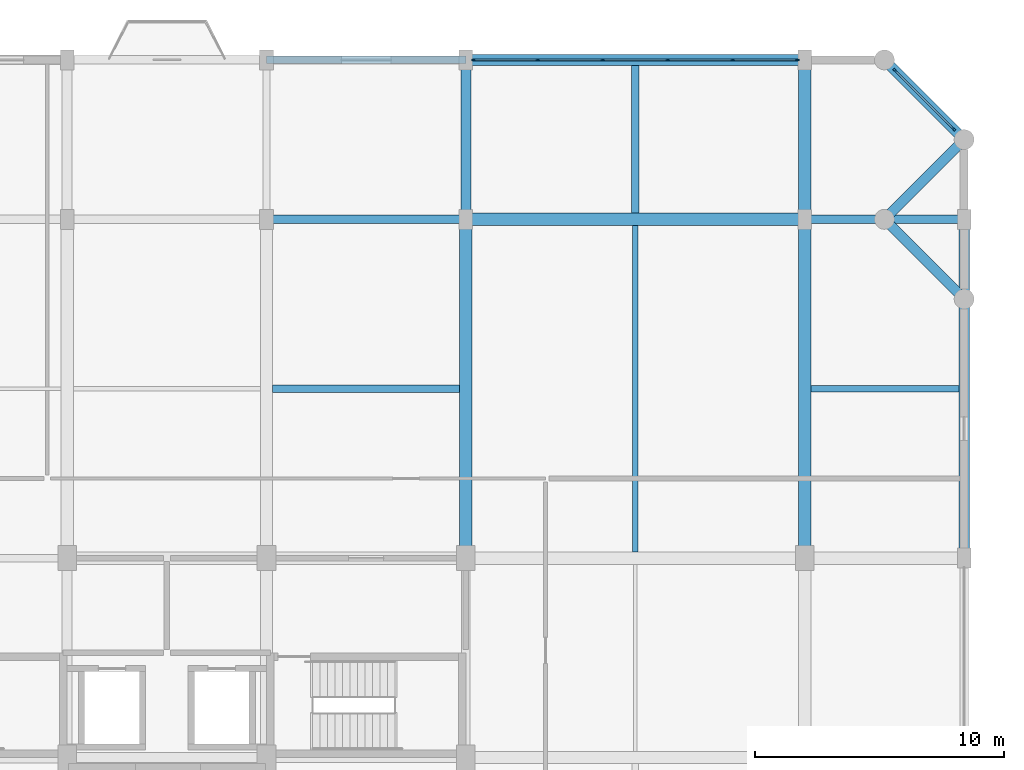
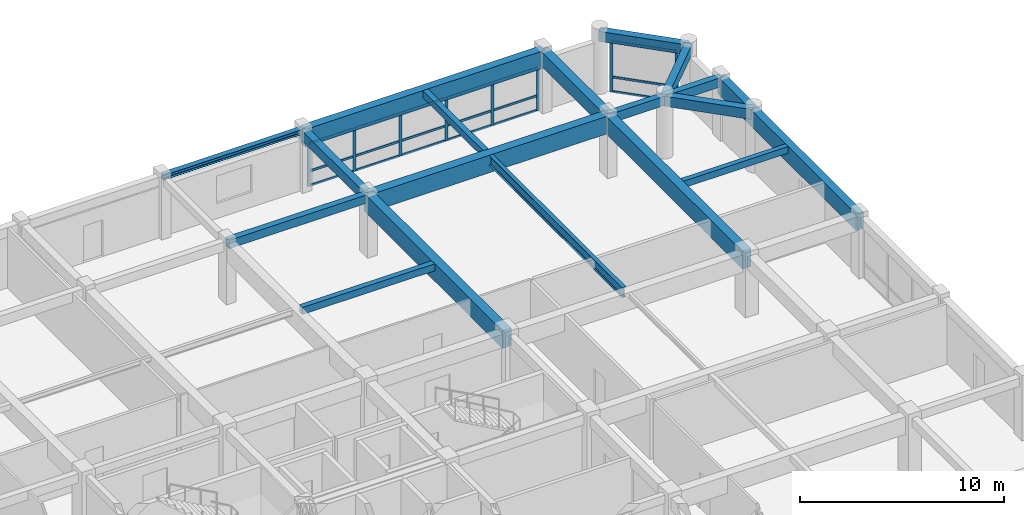
# One storey, part 9 of 15: 26 members, 17 beams, 2 elements without a shape of their own.
"""IFC4 building model written with IfcOpenShell, lengths in metres."""

from ifc_helpers import new_model, si_unit, direction, frame, origin, origin_2d, place, context, subcontext, project, spatial, rectangle, i_section, extrude, material, material_profile, profile_set, type_object, element, aggregate, save


model = new_model("IFC4")

# Units and contexts
model_context = context("Model", 3, precision=1e-05, world=origin(), true_north=direction((0.0, 1.0)))
body_context = subcontext(model_context, "Body", "Model", "MODEL_VIEW")
ifc_project = project(units=[si_unit("LENGTHUNIT", "METRE"), si_unit("AREAUNIT", "SQUARE_METRE"), si_unit("VOLUMEUNIT", "CUBIC_METRE"), si_unit("PLANEANGLEUNIT", "RADIAN"), si_unit("MASSUNIT", "GRAM", prefix="KILO")], contexts=[model_context])

# Site, building, storey
site_placement = place(None, origin())
site = spatial("IfcSite", under=ifc_project, at=site_placement, CompositionType="ELEMENT")
building_placement = place(site_placement, origin())
building = spatial("IfcBuilding", under=site, at=building_placement, Name="Vellmiral Cinema and Media Centre", CompositionType="ELEMENT")
storey_placement = place(building_placement, frame((0.0, 0.0, 31.699951171875)))
storey = spatial("IfcBuildingStorey", under=building, at=storey_placement, Name="L07", CompositionType="ELEMENT", Elevation=31.699951171875)

# Beams
ifc_material_1 = material(Name="Concrete C40/50", Category="concrete")
ifc_material_profile_1 = material_profile(ifc_material_1, rectangle(XDim=0.35009765625, YDim=0.5, at=origin_2d()), Name="RC 350x500")
ifc_profile_set_1 = profile_set([ifc_material_profile_1], Name="Concrete C40/50")
beam_type_1 = type_object("IfcBeamType", Name="BM-RC-350x500", PredefinedType="BEAM", material=ifc_profile_set_1)
beam_1_placement = place(storey_placement, frame((140.0, 108.800048828125, 3.385009765625), z_axis=(1.0, 0.0, 0.0), x_axis=(0.0, 1.0, 0.0)))
element("IfcBeam", 1, at=beam_1_placement, inside=storey, type_object=beam_type_1, Name="Grid Beam L07-X040", PredefinedType="BEAM", context=body_context, shape_type="SweptSolid", body=[
    extrude(rectangle(XDim=0.35009765625, YDim=0.5, at=origin_2d()), origin(), (0.0, 0.0, 1.0), 8.0),
])
ifc_material_2 = material(Name="Concrete C40/50", Category="concrete")
ifc_material_profile_2 = material_profile(ifc_material_2, rectangle(XDim=0.35009765625, YDim=0.550048828125, at=origin_2d()), Name="RC 350x550")
ifc_profile_set_2 = profile_set([ifc_material_profile_2], Name="Concrete C40/50")
beam_type_2 = type_object("IfcBeamType", Name="BM-RC-350x550", PredefinedType="BEAM", material=ifc_profile_set_2)
beam_2_placement = place(storey_placement, frame((161.60009765625, 108.800048828125, 3.360107421875), z_axis=(1.0, 0.0, 0.0), x_axis=(0.0, 1.0, 0.0)))
element("IfcBeam", 2, at=beam_2_placement, inside=storey, type_object=beam_type_2, Name="Grid Beam L07-X042", PredefinedType="BEAM", context=body_context, shape_type="SweptSolid", body=[
    extrude(rectangle(XDim=0.35009765625, YDim=0.550048828125, at=origin_2d()), origin(), (0.0, 0.0, 1.0), 6.39990234375),
])
ifc_material_3 = material(Name="Concrete C40/50", Category="concrete")
ifc_material_profile_3 = material_profile(ifc_material_3, rectangle(XDim=0.39990234375, YDim=0.60009765625, at=origin_2d()), Name="RC 400x600")
ifc_profile_set_3 = profile_set([ifc_material_profile_3], Name="Concrete C40/50")
beam_type_3 = type_object("IfcBeamType", Name="BM-RC-400x600", PredefinedType="BEAM", material=ifc_profile_set_3)
beam_3_placement = place(storey_placement, frame((148.0, 108.800048828125, 3.3349609375), z_axis=(0.0, 1.0, 0.0), x_axis=(-1.0, 0.0, 0.0)))
element("IfcBeam", 3, at=beam_3_placement, inside=storey, type_object=beam_type_3, Name="Grid Beam L07-Y084", PredefinedType="BEAM", context=body_context, shape_type="SweptSolid", body=[
    extrude(rectangle(XDim=0.39990234375, YDim=0.60009765625, at=origin_2d()), origin(), (0.0, 0.0, 1.0), 6.39990234375),
])
ifc_material_4 = material(Name="Concrete C40/50", Category="concrete")
ifc_material_profile_4 = material_profile(ifc_material_4, rectangle(XDim=0.5, YDim=0.85009765625, at=origin_2d()), Name="RC 500x850")
ifc_profile_set_4 = profile_set([ifc_material_profile_4], Name="Concrete C40/50")
beam_type_4 = type_object("IfcBeamType", Name="BM-RC-500x850", PredefinedType="BEAM", material=ifc_profile_set_4)
beam_4_placement = place(storey_placement, frame((161.60009765625, 108.800048828125, 3.2099609375), z_axis=(0.0, 1.0, 0.0), x_axis=(-1.0, 0.0, 0.0)))
element("IfcBeam", 4, at=beam_4_placement, inside=storey, type_object=beam_type_4, Name="Grid Beam L07-Y090", PredefinedType="BEAM", context=body_context, shape_type="SweptSolid", body=[
    extrude(rectangle(XDim=0.5, YDim=0.85009765625, at=origin_2d()), origin(), (0.0, 0.0, 1.0), 6.39990234375),
])
ifc_material_5 = material(Name="Concrete C40/50", Category="concrete")
ifc_material_profile_5 = material_profile(ifc_material_5, rectangle(XDim=0.5, YDim=1.050048828125, at=origin_2d()), Name="RC 500x1050")
ifc_profile_set_5 = profile_set([ifc_material_profile_5], Name="Concrete C40/50")
beam_type_5 = type_object("IfcBeamType", Name="BM-RCG-500x1050", PredefinedType="BEAM", material=ifc_profile_set_5)
for number, where, z_axis, x_axis, name in (
    (5, (148.0, 108.800048828125, 3.110107421875), (1.0, 0.0, 0.0), (0.0, 1.0, 0.0), "Grid Beam L07-X041"),
    (6, (148.0, 95.199951171875, 3.110107421875), (0.0, 1.0, 0.0), (-1.0, 0.0, 0.0), "Grid Beam L07-Y083"),
    (7, (161.60009765625, 95.199951171875, 3.110107421875), (0.0, 1.0, 0.0), (-1.0, 0.0, 0.0), "Grid Beam L07-Y089"),
):
    element("IfcBeam", number, at=place(storey_placement, frame(where, z_axis=z_axis, x_axis=x_axis)), inside=storey, type_object=beam_type_5, Name=name, PredefinedType="BEAM", context=body_context, shape_type="SweptSolid", body=[
        extrude(rectangle(XDim=0.5, YDim=1.050048828125, at=origin_2d()), origin(), (0.0, 0.0, 1.0), 13.60009765625),
    ])

# Curtain wall, members
ifc_material_6 = material(Name="Thermally Broken Aluminium and Triple Glazing", Category="aluminium")
curtain_wall_type = type_object("IfcCurtainWallType", Name="CW-TOWER-LOW-S", PredefinedType="USERDEFINED", material=ifc_material_6)
curtain_wall_1_placement = place(storey_placement, origin())
curtain_wall_1 = element("IfcCurtainWall", 8, at=curtain_wall_1_placement, inside=storey, type_object=curtain_wall_type, Name="Curtain Wall L07-B016", ObjectType="UNITISED CURTAIN WALL", PredefinedType="USERDEFINED")
ifc_material_7 = material(Name="Thermally Broken Anodised Aluminium", Category="aluminium")
ifc_material_profile_6 = material_profile(ifc_material_7, rectangle(XDim=0.06494140625, YDim=0.159912109375, at=origin_2d()), Name="MULL 65x160")
ifc_profile_set_6 = profile_set([ifc_material_profile_6], Name="Thermally Broken Anodised Aluminium")
member_type_1 = type_object("IfcMemberType", Name="CWM-65x160", PredefinedType="MULLION", material=ifc_profile_set_6)
member_1_placement = place(storey_placement, frame((167.576904296875, 112.423095703125, 0.0), z_axis=(0.0, 0.0, 1.0), x_axis=(-0.707106781187, -0.707106781187, 0.0)))
member_1 = element("IfcMember", 9, at=member_1_placement, type_object=member_type_1, Name="CW-06 mullion 1", PredefinedType="MULLION", context=body_context, shape_type="SweptSolid", body=[
    extrude(rectangle(XDim=0.06494140625, YDim=0.159912109375, at=origin_2d()), origin(), (0.0, 0.0, 1.0), 3.0400390625),
])
member_2_placement = place(storey_placement, frame((165.222900390625, 114.777099609375, 0.0), z_axis=(0.0, 0.0, 1.0), x_axis=(-0.707106781187, -0.707106781187, 0.0)))
member_2 = element("IfcMember", 10, at=member_2_placement, type_object=member_type_1, Name="CW-06 mullion 2", PredefinedType="MULLION", context=body_context, shape_type="SweptSolid", body=[
    extrude(rectangle(XDim=0.06494140625, YDim=0.159912109375, at=origin_2d()), origin(), (0.0, 0.0, 1.0), 3.0400390625),
])

curtain_wall_2_placement = place(storey_placement, origin())
curtain_wall_2 = element("IfcCurtainWall", 11, at=curtain_wall_2_placement, inside=storey, type_object=curtain_wall_type, Name="Curtain Wall L07-B018", ObjectType="UNITISED CURTAIN WALL", PredefinedType="USERDEFINED")
member_3_placement = place(storey_placement, frame((161.29248046875, 115.199951171875, 0.0), z_axis=(0.0, 0.0, 1.0), x_axis=(0.0, -1.0, 0.0)))
member_3 = element("IfcMember", 12, at=member_3_placement, type_object=member_type_1, Name="CW-06 mullion 1", PredefinedType="MULLION", context=body_context, shape_type="SweptSolid", body=[
    extrude(rectangle(XDim=0.06494140625, YDim=0.159912109375, at=origin_2d()), origin(), (0.0, 0.0, 1.0), 2.574951171875),
])
member_4_placement = place(storey_placement, frame((158.715087890625, 115.199951171875, 0.0), z_axis=(0.0, 0.0, 1.0), x_axis=(0.0, -1.0, 0.0)))
member_4 = element("IfcMember", 13, at=member_4_placement, type_object=member_type_1, Name="CW-06 mullion 2", PredefinedType="MULLION", context=body_context, shape_type="SweptSolid", body=[
    extrude(rectangle(XDim=0.06494140625, YDim=0.159912109375, at=origin_2d()), origin(), (0.0, 0.0, 1.0), 2.574951171875),
])
member_5_placement = place(storey_placement, frame((156.10498046875, 115.199951171875, 0.0), z_axis=(0.0, 0.0, 1.0), x_axis=(0.0, -1.0, 0.0)))
member_5 = element("IfcMember", 14, at=member_5_placement, type_object=member_type_1, Name="CW-06 mullion 3", PredefinedType="MULLION", context=body_context, shape_type="SweptSolid", body=[
    extrude(rectangle(XDim=0.06494140625, YDim=0.159912109375, at=origin_2d()), origin(), (0.0, 0.0, 1.0), 2.574951171875),
])
member_6_placement = place(storey_placement, frame((153.4951171875, 115.199951171875, 0.0), z_axis=(0.0, 0.0, 1.0), x_axis=(0.0, -1.0, 0.0)))
member_6 = element("IfcMember", 15, at=member_6_placement, type_object=member_type_1, Name="CW-06 mullion 4", PredefinedType="MULLION", context=body_context, shape_type="SweptSolid", body=[
    extrude(rectangle(XDim=0.06494140625, YDim=0.159912109375, at=origin_2d()), origin(), (0.0, 0.0, 1.0), 2.574951171875),
])
member_7_placement = place(storey_placement, frame((150.885009765625, 115.199951171875, 0.0), z_axis=(0.0, 0.0, 1.0), x_axis=(0.0, -1.0, 0.0)))
member_7 = element("IfcMember", 16, at=member_7_placement, type_object=member_type_1, Name="CW-06 mullion 5", PredefinedType="MULLION", context=body_context, shape_type="SweptSolid", body=[
    extrude(rectangle(XDim=0.06494140625, YDim=0.159912109375, at=origin_2d()), origin(), (0.0, 0.0, 1.0), 2.574951171875),
])
member_8_placement = place(storey_placement, frame((148.3076171875, 115.199951171875, 0.0), z_axis=(0.0, 0.0, 1.0), x_axis=(0.0, -1.0, 0.0)))
member_8 = element("IfcMember", 17, at=member_8_placement, type_object=member_type_1, Name="CW-06 mullion 6", PredefinedType="MULLION", context=body_context, shape_type="SweptSolid", body=[
    extrude(rectangle(XDim=0.06494140625, YDim=0.159912109375, at=origin_2d()), origin(), (0.0, 0.0, 1.0), 2.574951171875),
])

# Member
ifc_material_8 = material(Name="Thermally Broken Anodised Aluminium", Category="aluminium")
ifc_material_profile_7 = material_profile(ifc_material_8, rectangle(XDim=0.06494140625, YDim=0.135009765625, at=origin_2d()), Name="MULL 65x135")
ifc_profile_set_7 = profile_set([ifc_material_profile_7], Name="Thermally Broken Anodised Aluminium")
member_type_2 = type_object("IfcMemberType", Name="CWT-65x135", PredefinedType="USERDEFINED", material=ifc_profile_set_7)
member_9_placement = place(storey_placement, frame((167.553955078125, 112.446044921875, 0.032470703125), z_axis=(-0.707106781187, 0.707106781187, 0.0), x_axis=(-0.707106781187, -0.707106781187, 0.0)))
member_9 = element("IfcMember", 18, at=member_9_placement, type_object=member_type_2, Name="CW-06 transom 1.1", ObjectType="TRANSOM", PredefinedType="USERDEFINED", context=body_context, shape_type="SweptSolid", body=[
    extrude(rectangle(XDim=0.06494140625, YDim=0.135009765625, at=origin_2d()), origin(), (0.0, 0.0, 1.0), 3.26416015625),
])

member_10_placement = place(storey_placement, frame((167.553955078125, 112.446044921875, 0.900146484375), z_axis=(-0.707106781187, 0.707106781187, 0.0), x_axis=(-0.707106781187, -0.707106781187, 0.0)))
member_10 = element("IfcMember", 19, at=member_10_placement, type_object=member_type_2, Name="CW-06 transom 1.2", ObjectType="TRANSOM", PredefinedType="USERDEFINED", context=body_context, shape_type="SweptSolid", body=[
    extrude(rectangle(XDim=0.06494140625, YDim=0.135009765625, at=origin_2d()), origin(), (0.0, 0.0, 1.0), 3.26416015625),
])

member_11_placement = place(storey_placement, frame((167.553955078125, 112.446044921875, 3.007568359375), z_axis=(-0.707106781187, 0.707106781187, 0.0), x_axis=(-0.707106781187, -0.707106781187, 0.0)))
member_11 = element("IfcMember", 20, at=member_11_placement, type_object=member_type_2, Name="CW-06 transom 1.3", ObjectType="TRANSOM", PredefinedType="USERDEFINED", context=body_context, shape_type="SweptSolid", body=[
    extrude(rectangle(XDim=0.06494140625, YDim=0.135009765625, at=origin_2d()), origin(), (0.0, 0.0, 1.0), 3.26416015625),
])

aggregate(curtain_wall_1, [member_1, member_2, member_9, member_10, member_11])

member_12_placement = place(storey_placement, frame((161.260009765625, 115.199951171875, 0.032470703125), z_axis=(-1.0, 0.0, 0.0), x_axis=(0.0, -1.0, 0.0)))
member_12 = element("IfcMember", 21, at=member_12_placement, type_object=member_type_2, Name="CW-06 transom 1.1", ObjectType="TRANSOM", PredefinedType="USERDEFINED", context=body_context, shape_type="SweptSolid", body=[
    extrude(rectangle(XDim=0.06494140625, YDim=0.135009765625, at=origin_2d()), origin(), (0.0, 0.0, 1.0), 2.512451171875),
])

member_13_placement = place(storey_placement, frame((161.260009765625, 115.199951171875, 0.900146484375), z_axis=(-1.0, 0.0, 0.0), x_axis=(0.0, -1.0, 0.0)))
member_13 = element("IfcMember", 22, at=member_13_placement, type_object=member_type_2, Name="CW-06 transom 1.2", ObjectType="TRANSOM", PredefinedType="USERDEFINED", context=body_context, shape_type="SweptSolid", body=[
    extrude(rectangle(XDim=0.06494140625, YDim=0.135009765625, at=origin_2d()), origin(), (0.0, 0.0, 1.0), 2.512451171875),
])

member_14_placement = place(storey_placement, frame((161.260009765625, 115.199951171875, 2.54248046875), z_axis=(-1.0, 0.0, 0.0), x_axis=(0.0, -1.0, 0.0)))
member_14 = element("IfcMember", 23, at=member_14_placement, type_object=member_type_2, Name="CW-06 transom 1.3", ObjectType="TRANSOM", PredefinedType="USERDEFINED", context=body_context, shape_type="SweptSolid", body=[
    extrude(rectangle(XDim=0.06494140625, YDim=0.135009765625, at=origin_2d()), origin(), (0.0, 0.0, 1.0), 2.512451171875),
])

member_15_placement = place(storey_placement, frame((158.6826171875, 115.199951171875, 0.032470703125), z_axis=(-1.0, 0.0, 0.0), x_axis=(0.0, -1.0, 0.0)))
member_15 = element("IfcMember", 24, at=member_15_placement, type_object=member_type_2, Name="CW-06 transom 2.1", ObjectType="TRANSOM", PredefinedType="USERDEFINED", context=body_context, shape_type="SweptSolid", body=[
    extrude(rectangle(XDim=0.06494140625, YDim=0.135009765625, at=origin_2d()), origin(), (0.0, 0.0, 1.0), 2.545166015625),
])

member_16_placement = place(storey_placement, frame((158.6826171875, 115.199951171875, 0.900146484375), z_axis=(-1.0, 0.0, 0.0), x_axis=(0.0, -1.0, 0.0)))
member_16 = element("IfcMember", 25, at=member_16_placement, type_object=member_type_2, Name="CW-06 transom 2.2", ObjectType="TRANSOM", PredefinedType="USERDEFINED", context=body_context, shape_type="SweptSolid", body=[
    extrude(rectangle(XDim=0.06494140625, YDim=0.135009765625, at=origin_2d()), origin(), (0.0, 0.0, 1.0), 2.545166015625),
])

member_17_placement = place(storey_placement, frame((158.6826171875, 115.199951171875, 2.54248046875), z_axis=(-1.0, 0.0, 0.0), x_axis=(0.0, -1.0, 0.0)))
member_17 = element("IfcMember", 26, at=member_17_placement, type_object=member_type_2, Name="CW-06 transom 2.3", ObjectType="TRANSOM", PredefinedType="USERDEFINED", context=body_context, shape_type="SweptSolid", body=[
    extrude(rectangle(XDim=0.06494140625, YDim=0.135009765625, at=origin_2d()), origin(), (0.0, 0.0, 1.0), 2.545166015625),
])

member_18_placement = place(storey_placement, frame((156.072509765625, 115.199951171875, 0.032470703125), z_axis=(-1.0, 0.0, 0.0), x_axis=(0.0, -1.0, 0.0)))
member_18 = element("IfcMember", 27, at=member_18_placement, type_object=member_type_2, Name="CW-06 transom 3.1", ObjectType="TRANSOM", PredefinedType="USERDEFINED", context=body_context, shape_type="SweptSolid", body=[
    extrude(rectangle(XDim=0.06494140625, YDim=0.135009765625, at=origin_2d()), origin(), (0.0, 0.0, 1.0), 2.544921875),
])

member_19_placement = place(storey_placement, frame((156.072509765625, 115.199951171875, 0.900146484375), z_axis=(-1.0, 0.0, 0.0), x_axis=(0.0, -1.0, 0.0)))
member_19 = element("IfcMember", 28, at=member_19_placement, type_object=member_type_2, Name="CW-06 transom 3.2", ObjectType="TRANSOM", PredefinedType="USERDEFINED", context=body_context, shape_type="SweptSolid", body=[
    extrude(rectangle(XDim=0.06494140625, YDim=0.135009765625, at=origin_2d()), origin(), (0.0, 0.0, 1.0), 2.544921875),
])

member_20_placement = place(storey_placement, frame((156.072509765625, 115.199951171875, 2.54248046875), z_axis=(-1.0, 0.0, 0.0), x_axis=(0.0, -1.0, 0.0)))
member_20 = element("IfcMember", 29, at=member_20_placement, type_object=member_type_2, Name="CW-06 transom 3.3", ObjectType="TRANSOM", PredefinedType="USERDEFINED", context=body_context, shape_type="SweptSolid", body=[
    extrude(rectangle(XDim=0.06494140625, YDim=0.135009765625, at=origin_2d()), origin(), (0.0, 0.0, 1.0), 2.544921875),
])

member_21_placement = place(storey_placement, frame((153.46240234375, 115.199951171875, 0.032470703125), z_axis=(-1.0, 0.0, 0.0), x_axis=(0.0, -1.0, 0.0)))
member_21 = element("IfcMember", 30, at=member_21_placement, type_object=member_type_2, Name="CW-06 transom 4.1", ObjectType="TRANSOM", PredefinedType="USERDEFINED", context=body_context, shape_type="SweptSolid", body=[
    extrude(rectangle(XDim=0.06494140625, YDim=0.135009765625, at=origin_2d()), origin(), (0.0, 0.0, 1.0), 2.544921875),
])

member_22_placement = place(storey_placement, frame((153.46240234375, 115.199951171875, 0.900146484375), z_axis=(-1.0, 0.0, 0.0), x_axis=(0.0, -1.0, 0.0)))
member_22 = element("IfcMember", 31, at=member_22_placement, type_object=member_type_2, Name="CW-06 transom 4.2", ObjectType="TRANSOM", PredefinedType="USERDEFINED", context=body_context, shape_type="SweptSolid", body=[
    extrude(rectangle(XDim=0.06494140625, YDim=0.135009765625, at=origin_2d()), origin(), (0.0, 0.0, 1.0), 2.544921875),
])

member_23_placement = place(storey_placement, frame((153.46240234375, 115.199951171875, 2.54248046875), z_axis=(-1.0, 0.0, 0.0), x_axis=(0.0, -1.0, 0.0)))
member_23 = element("IfcMember", 32, at=member_23_placement, type_object=member_type_2, Name="CW-06 transom 4.3", ObjectType="TRANSOM", PredefinedType="USERDEFINED", context=body_context, shape_type="SweptSolid", body=[
    extrude(rectangle(XDim=0.06494140625, YDim=0.135009765625, at=origin_2d()), origin(), (0.0, 0.0, 1.0), 2.544921875),
])

member_24_placement = place(storey_placement, frame((150.8525390625, 115.199951171875, 0.032470703125), z_axis=(-1.0, 0.0, 0.0), x_axis=(0.0, -1.0, 0.0)))
member_24 = element("IfcMember", 33, at=member_24_placement, type_object=member_type_2, Name="CW-06 transom 5.1", ObjectType="TRANSOM", PredefinedType="USERDEFINED", context=body_context, shape_type="SweptSolid", body=[
    extrude(rectangle(XDim=0.06494140625, YDim=0.135009765625, at=origin_2d()), origin(), (0.0, 0.0, 1.0), 2.512451171875),
])

member_25_placement = place(storey_placement, frame((150.8525390625, 115.199951171875, 0.900146484375), z_axis=(-1.0, 0.0, 0.0), x_axis=(0.0, -1.0, 0.0)))
member_25 = element("IfcMember", 34, at=member_25_placement, type_object=member_type_2, Name="CW-06 transom 5.2", ObjectType="TRANSOM", PredefinedType="USERDEFINED", context=body_context, shape_type="SweptSolid", body=[
    extrude(rectangle(XDim=0.06494140625, YDim=0.135009765625, at=origin_2d()), origin(), (0.0, 0.0, 1.0), 2.512451171875),
])

member_26_placement = place(storey_placement, frame((150.8525390625, 115.199951171875, 2.54248046875), z_axis=(-1.0, 0.0, 0.0), x_axis=(0.0, -1.0, 0.0)))
member_26 = element("IfcMember", 35, at=member_26_placement, type_object=member_type_2, Name="CW-06 transom 5.3", ObjectType="TRANSOM", PredefinedType="USERDEFINED", context=body_context, shape_type="SweptSolid", body=[
    extrude(rectangle(XDim=0.06494140625, YDim=0.135009765625, at=origin_2d()), origin(), (0.0, 0.0, 1.0), 2.512451171875),
])

aggregate(curtain_wall_2, [member_3, member_4, member_5, member_6, member_7, member_8, member_12, member_13, member_14, member_15, member_16, member_17, member_18, member_19, member_20, member_21, member_22, member_23, member_24, member_25, member_26])

# Beams
ifc_material_9 = material(Name="Concrete C40/50", Category="concrete")
ifc_material_profile_8 = material_profile(ifc_material_9, rectangle(XDim=0.280029296875, YDim=0.39990234375, at=origin_2d()), Name="RC 280x400")
ifc_profile_set_8 = profile_set([ifc_material_profile_8], Name="Concrete C40/50")
beam_type_6 = type_object("IfcBeamType", Name="JST-RC-280x400", PredefinedType="JOIST", material=ifc_profile_set_8)
beam_5_placement = place(storey_placement, frame((161.85009765625, 102.0, 3.43505859375), z_axis=(1.0, 0.0, 0.0), x_axis=(0.0, 1.0, 0.0)))
element("IfcBeam", 36, at=beam_5_placement, inside=storey, type_object=beam_type_6, Name="Secondary Floor Joist L07-012", PredefinedType="JOIST", context=body_context, shape_type="SweptSolid", body=[
    extrude(rectangle(XDim=0.280029296875, YDim=0.39990234375, at=origin_2d()), origin(), (0.0, 0.0, 1.0), 5.93994140625),
])
ifc_material_10 = material(Name="Concrete C40/50", Category="concrete")
ifc_material_profile_9 = material_profile(ifc_material_10, rectangle(XDim=0.300048828125, YDim=0.419921875, at=origin_2d()), Name="RC 300x420")
ifc_profile_set_9 = profile_set([ifc_material_profile_9], Name="Concrete C40/50")
beam_type_7 = type_object("IfcBeamType", Name="JST-RC-300x420", PredefinedType="JOIST", material=ifc_profile_set_9)
beam_6_placement = place(storey_placement, frame((140.25, 102.0, 3.425048828125), z_axis=(1.0, 0.0, 0.0), x_axis=(0.0, 1.0, 0.0)))
element("IfcBeam", 37, at=beam_6_placement, inside=storey, type_object=beam_type_7, Name="Secondary Floor Joist L07-005", PredefinedType="JOIST", context=body_context, shape_type="SweptSolid", body=[
    extrude(rectangle(XDim=0.300048828125, YDim=0.419921875, at=origin_2d()), origin(), (0.0, 0.0, 1.0), 7.5),
])
beam_7_placement = place(storey_placement, frame((154.800048828125, 109.050048828125, 3.425048828125), z_axis=(0.0, 1.0, 0.0), x_axis=(-1.0, 0.0, 0.0)))
element("IfcBeam", 38, at=beam_7_placement, inside=storey, type_object=beam_type_7, Name="Secondary Floor Joist L07-011", PredefinedType="JOIST", context=body_context, shape_type="SweptSolid", body=[
    extrude(rectangle(XDim=0.300048828125, YDim=0.419921875, at=origin_2d()), origin(), (0.0, 0.0, 1.0), 5.925048828125),
])
ifc_material_11 = material(Name="Steel S355", Category="steel")
ifc_material_profile_10 = material_profile(ifc_material_11, i_section(OverallWidth=0.300048828125, OverallDepth=0.300048828125, WebThickness=0.010986328125, FlangeThickness=0.01904296875, FilletRadius=0.027099609375, at=origin_2d()), Name="HEB 300")
ifc_profile_set_10 = profile_set([ifc_material_profile_10], Name="Steel S355")
beam_type_8 = type_object("IfcBeamType", Name="SBM-HEB300", PredefinedType="SPANDREL", material=ifc_profile_set_10)
beam_8_placement = place(storey_placement, frame((140.0, 115.199951171875, 3.485107421875), z_axis=(1.0, 0.0, 0.0), x_axis=(0.0, 1.0, 0.0)))
element("IfcBeam", 39, at=beam_8_placement, inside=storey, type_object=beam_type_8, Name="Grid Beam L07-X047", PredefinedType="SPANDREL", context=body_context, shape_type="SweptSolid", body=[
    extrude(i_section(OverallWidth=0.300048828125, OverallDepth=0.300048828125, WebThickness=0.010986328125, FlangeThickness=0.01904296875, FilletRadius=0.027099609375, at=origin_2d()), origin(), (0.0, 0.0, 1.0), 8.0),
])
ifc_material_12 = material(Name="Steel S355", Category="steel")
ifc_material_profile_11 = material_profile(ifc_material_12, i_section(OverallWidth=0.219970703125, OverallDepth=0.60009765625, WebThickness=0.011962890625, FlangeThickness=0.01904296875, FilletRadius=0.02392578125, at=origin_2d()), Name="IPE 600")
ifc_profile_set_11 = profile_set([ifc_material_profile_11], Name="Steel S355")
beam_type_9 = type_object("IfcBeamType", Name="SBM-IPE600", PredefinedType="JOIST", material=ifc_profile_set_11)
beam_9_placement = place(storey_placement, frame((154.800048828125, 95.449951171875, 3.3349609375), z_axis=(0.0, 1.0, 0.0), x_axis=(-1.0, 0.0, 0.0)))
element("IfcBeam", 40, at=beam_9_placement, inside=storey, type_object=beam_type_9, Name="Secondary Floor Joist L07-010", PredefinedType="JOIST", context=body_context, shape_type="SweptSolid", body=[
    extrude(i_section(OverallWidth=0.219970703125, OverallDepth=0.60009765625, WebThickness=0.011962890625, FlangeThickness=0.01904296875, FilletRadius=0.02392578125, at=origin_2d()), origin(), (0.0, 0.0, 1.0), 13.10009765625),
])
ifc_material_13 = material(Name="Concrete C40/50", Category="concrete")
ifc_material_profile_12 = material_profile(ifc_material_13, rectangle(XDim=0.39990234375, YDim=0.60009765625, at=origin_2d()), Name="RC 400x600")
ifc_profile_set_12 = profile_set([ifc_material_profile_12], Name="Concrete C40/50")
beam_type_10 = type_object("IfcBeamType", Name="SPD-RC-400x600", PredefinedType="SPANDREL", material=ifc_profile_set_12)
for number, where, z_axis, x_axis, name in (
    (41, (164.800048828125, 108.800048828125, 3.3349609375), (0.707106781187, -0.707106781187, 0.0), (0.707106781187, 0.707106781187, 0.0), "Xamfra Chamfer Spandrel Beam L07-099"),
    (42, (164.800048828125, 108.800048828125, 3.3349609375), (0.707106781187, 0.707106781187, 0.0), (-0.707106781187, 0.707106781187, 0.0), "Xamfra Chamfer Spandrel Beam L07-100"),
    (43, (164.800048828125, 115.199951171875, 3.3349609375), (0.707106781187, -0.707106781187, 0.0), (0.707106781187, 0.707106781187, 0.0), "Xamfra Chamfer Spandrel Beam L07-101"),
):
    element("IfcBeam", number, at=place(storey_placement, frame(where, z_axis=z_axis, x_axis=x_axis)), inside=storey, type_object=beam_type_10, Name=name, PredefinedType="SPANDREL", context=body_context, shape_type="SweptSolid", body=[
        extrude(rectangle(XDim=0.39990234375, YDim=0.60009765625, at=origin_2d()), origin(), (0.0, 0.0, 1.0), 4.525390625),
    ])
ifc_material_14 = material(Name="Concrete C40/50", Category="concrete")
ifc_material_profile_13 = material_profile(ifc_material_14, rectangle(XDim=0.449951171875, YDim=1.050048828125, at=origin_2d()), Name="RC 450x1050")
ifc_profile_set_13 = profile_set([ifc_material_profile_13], Name="Concrete C40/50")
beam_type_11 = type_object("IfcBeamType", Name="SPD-RCG-450x1050", PredefinedType="SPANDREL", material=ifc_profile_set_13)
beam_10_placement = place(storey_placement, frame((148.0, 115.199951171875, 3.110107421875), z_axis=(1.0, 0.0, 0.0), x_axis=(0.0, 1.0, 0.0)))
element("IfcBeam", 44, at=beam_10_placement, inside=storey, type_object=beam_type_11, Name="Grid Beam L07-X048", PredefinedType="SPANDREL", context=body_context, shape_type="SweptSolid", body=[
    extrude(rectangle(XDim=0.449951171875, YDim=1.050048828125, at=origin_2d()), origin(), (0.0, 0.0, 1.0), 13.60009765625),
])
ifc_material_15 = material(Name="Vosges Red Sandstone Masonry", Category="masonry")
ifc_material_profile_14 = material_profile(ifc_material_15, rectangle(XDim=0.419921875, YDim=1.0, at=origin_2d()), Name="SAND 420x1000")
ifc_profile_set_14 = profile_set([ifc_material_profile_14], Name="Vosges Red Sandstone Masonry")
beam_type_12 = type_object("IfcBeamType", Name="SPD-SANDG-420x1000", PredefinedType="SPANDREL", material=ifc_profile_set_14)
beam_11_placement = place(storey_placement, frame((168.0, 95.199951171875, 3.135009765625), z_axis=(0.0, 1.0, 0.0), x_axis=(-1.0, 0.0, 0.0)))
element("IfcBeam", 45, at=beam_11_placement, inside=storey, type_object=beam_type_12, Name="Grid Beam L07-Y095", PredefinedType="SPANDREL", context=body_context, shape_type="SweptSolid", body=[
    extrude(rectangle(XDim=0.419921875, YDim=1.0, at=origin_2d()), origin(), (0.0, 0.0, 1.0), 13.60009765625),
])

save(model, "model.ifc")
